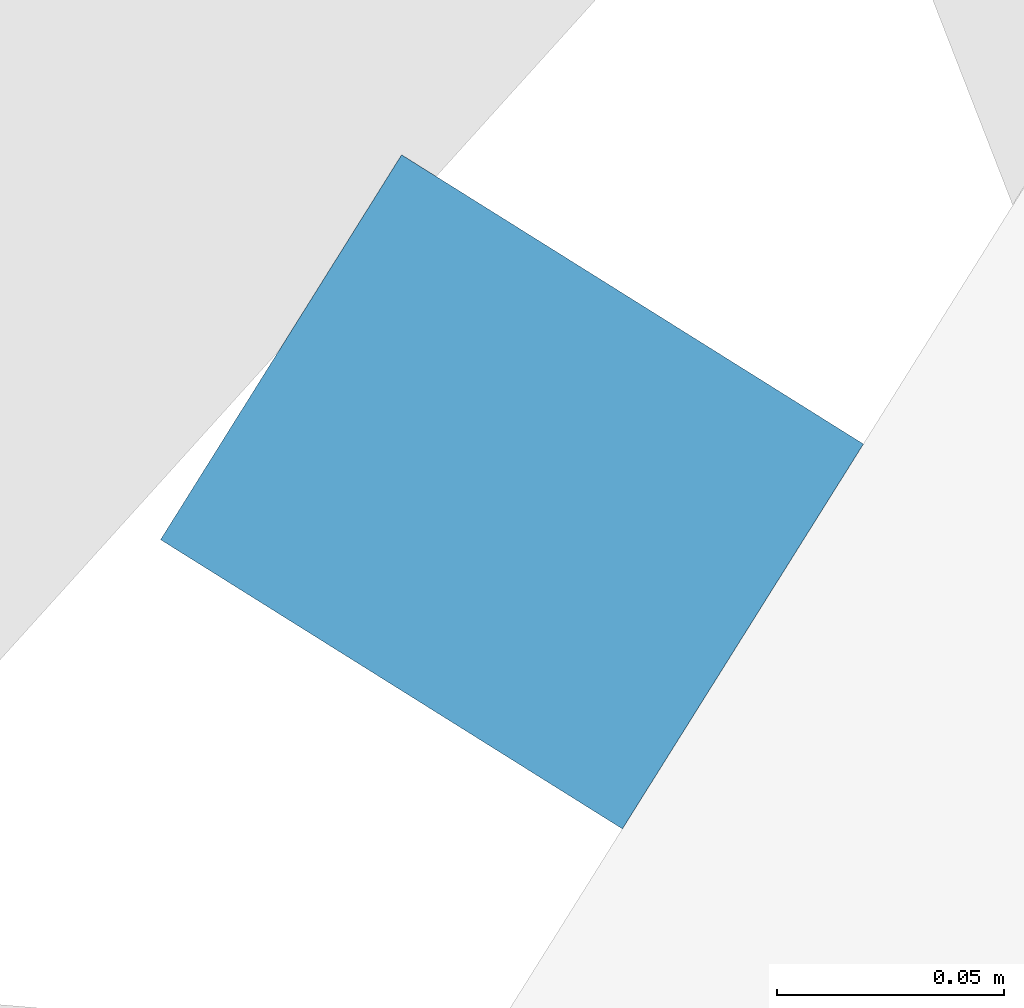
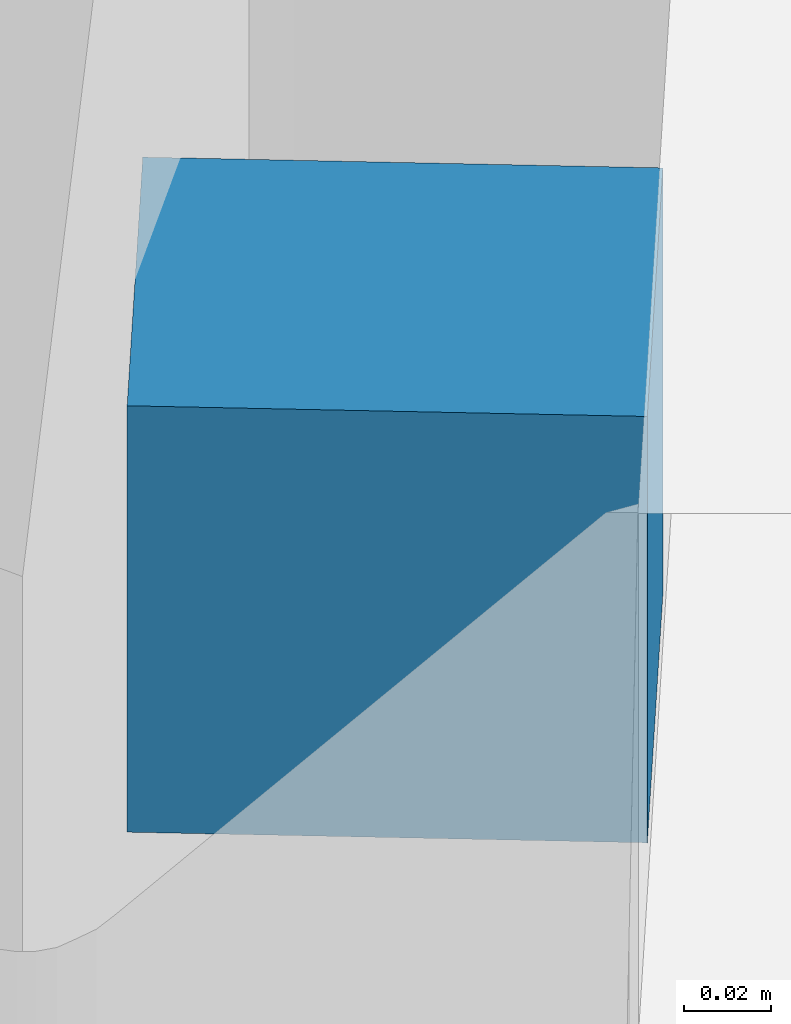
# One storey, part 14 of 18: 1 discrete accessory.
"""IFC4 building model written with IfcOpenShell, lengths in metres."""

from ifc_helpers import new_model, si_unit, direction, frame, origin, origin_2d, place, context, subcontext, project, spatial, rectangle, extrude, material, type_object, element, save


model = new_model("IFC4")

# Units and contexts
model_context = context("Model", 3, precision=1e-05, world=origin(), true_north=direction((0.0, 1.0)))
body_context = subcontext(model_context, "Body", "Model", "MODEL_VIEW")
ifc_project = project(units=[si_unit("LENGTHUNIT", "METRE"), si_unit("AREAUNIT", "SQUARE_METRE"), si_unit("VOLUMEUNIT", "CUBIC_METRE"), si_unit("PLANEANGLEUNIT", "RADIAN"), si_unit("MASSUNIT", "GRAM", prefix="KILO")], contexts=[model_context])

# Site, building, storey
site_placement = place(None, origin())
site = spatial("IfcSite", under=ifc_project, at=site_placement, CompositionType="ELEMENT")
building_placement = place(site_placement, origin())
building = spatial("IfcBuilding", under=site, at=building_placement, Name="Sierra Prisma Convention Tower", CompositionType="ELEMENT")
storey_placement = place(building_placement, frame((0.0, 0.0, 287.0)))
storey = spatial("IfcBuildingStorey", under=building, at=storey_placement, Name="L65", CompositionType="ELEMENT", Elevation=287.0)

# Discrete accessory
ifc_material = material(Name="Stainless steel 316", Category="steel")
discrete_accessory_type = type_object("IfcDiscreteAccessoryType", Name="Fin bracket", PredefinedType="BRACKET", material=ifc_material)
discrete_accessory_placement = place(storey_placement, frame((-16.156005859375, 13.60693359375, -0.135009765625), z_axis=(0.0, 0.0, 1.0), x_axis=(-0.847527742564, 0.530751095697, 0.0)))
element("IfcDiscreteAccessory", 1, at=discrete_accessory_placement, inside=storey, type_object=discrete_accessory_type, Name="Fin bracket L65.52 base", PredefinedType="BRACKET", context=body_context, shape_type="SweptSolid", body=[
    extrude(rectangle(XDim=0.1201171875, YDim=0.10009765625, at=origin_2d()), origin(), (0.0, 0.0, 1.0), 0.1201171875),
])

save(model, "model.ifc")
